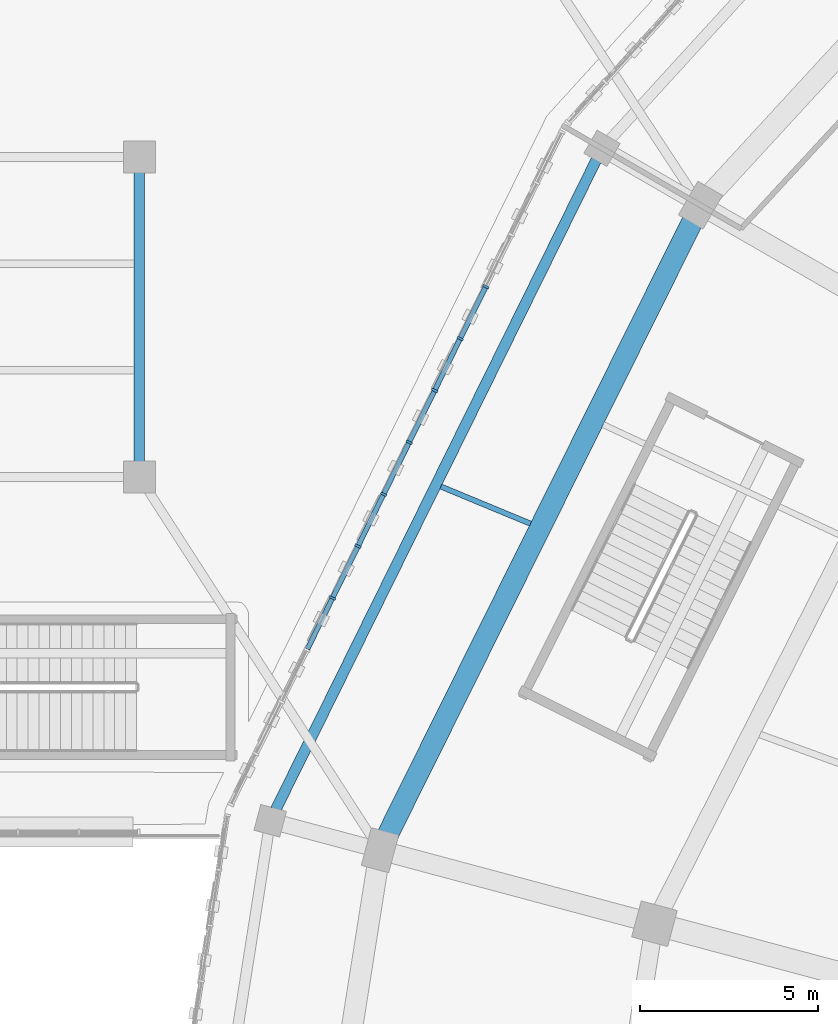
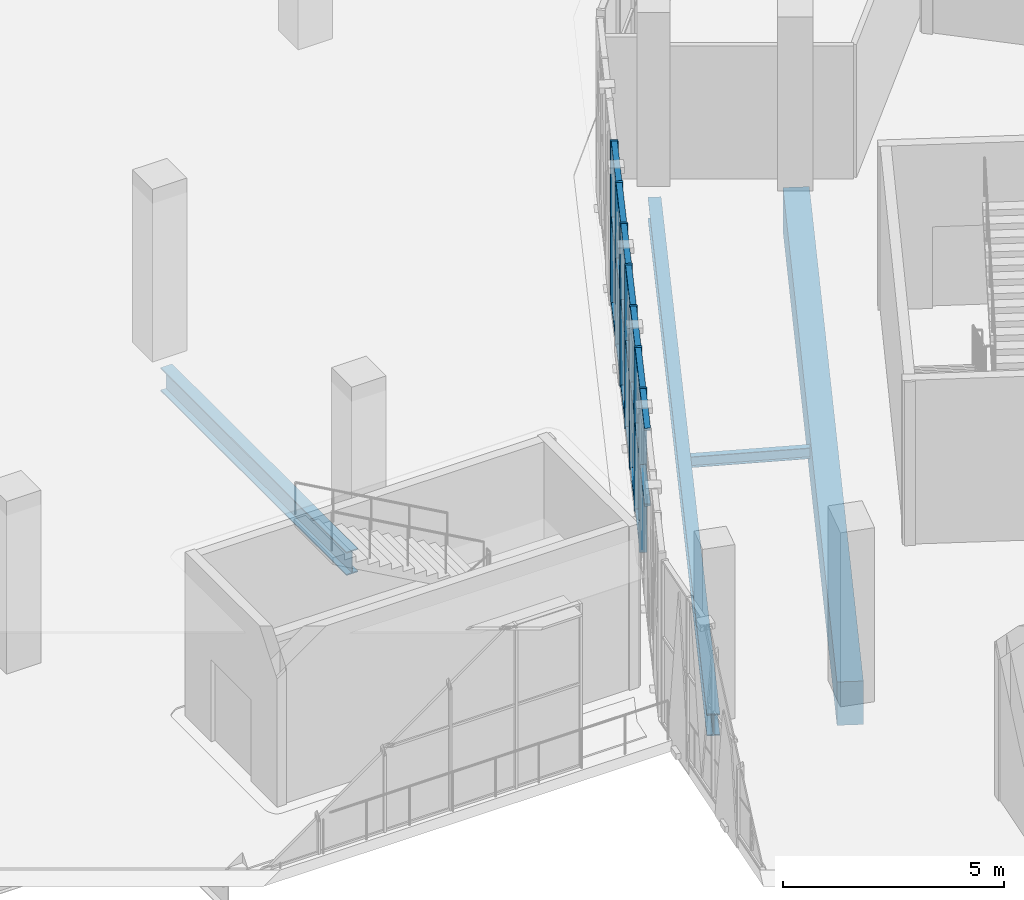
# One storey, part 24 of 183: 27 members, 4 beams, 1 element without a shape of its own.
"""IFC4 building model written with IfcOpenShell, lengths in metres."""

from ifc_helpers import new_model, si_unit, direction, frame, origin, origin_2d, place, context, subcontext, project, spatial, rectangle, i_section, extrude, material, material_profile, profile_set, type_object, element, aggregate, save


model = new_model("IFC4")

# Units and contexts
model_context = context("Model", 3, precision=1e-05, world=origin(), true_north=direction((0.0, 1.0)))
body_context = subcontext(model_context, "Body", "Model", "MODEL_VIEW")
ifc_project = project(units=[si_unit("LENGTHUNIT", "METRE"), si_unit("AREAUNIT", "SQUARE_METRE"), si_unit("VOLUMEUNIT", "CUBIC_METRE"), si_unit("PLANEANGLEUNIT", "RADIAN"), si_unit("MASSUNIT", "GRAM", prefix="KILO")], contexts=[model_context])

# Site, building, storey
site_placement = place(None, origin())
site = spatial("IfcSite", under=ifc_project, at=site_placement, CompositionType="ELEMENT")
building_placement = place(site_placement, origin())
building = spatial("IfcBuilding", under=site, at=building_placement, Name="Zevraka Park Crest Stadium", CompositionType="ELEMENT")
storey_placement = place(building_placement, frame((0.0, 0.0, 5.39990234375)))
storey = spatial("IfcBuildingStorey", under=building, at=storey_placement, Name="L01", CompositionType="ELEMENT", Elevation=5.39990234375)

# Beam
ifc_material_1 = material(Name="Steel S355", Category="steel")
ifc_material_profile_1 = material_profile(ifc_material_1, i_section(OverallWidth=0.300048828125, OverallDepth=0.64990234375, WebThickness=0.01611328125, FlangeThickness=0.031005859375, at=origin_2d()), Name="HEB 650")
ifc_profile_set_1 = profile_set([ifc_material_profile_1], Name="Steel S355")
beam_type_1 = type_object("IfcBeamType", Name="BG07", PredefinedType="BEAM", material=ifc_profile_set_1)
beam_1_placement = place(storey_placement, frame((18.0, 122.300048828125, -0.6328125), z_axis=(0.0, 1.0, 0.0), x_axis=(-1.0, 0.0, 0.0)))
element("IfcBeam", 1, at=beam_1_placement, inside=storey, type_object=beam_type_1, Name="Wing Girder BG07 L01-3/PQ", PredefinedType="BEAM", context=body_context, shape_type="SweptSolid", body=[
    extrude(i_section(OverallWidth=0.300048828125, OverallDepth=0.64990234375, WebThickness=0.01611328125, FlangeThickness=0.031005859375, at=origin_2d()), origin(), (0.0, 0.0, 1.0), 8.39990234375),
])

# Curtain wall, members
ifc_material_2 = material(Name="Anodised architectural aluminium and laminated safety glass", Category="aluminium")
curtain_wall_type = type_object("IfcCurtainWallType", Name="CW02", PredefinedType="NOTDEFINED", material=ifc_material_2)
curtain_wall_placement = place(storey_placement, origin())
curtain_wall = element("IfcCurtainWall", 2, at=curtain_wall_placement, inside=storey, type_object=curtain_wall_type, Name="Unitised Ring Curtain Wall CW02 L01-10", PredefinedType="NOTDEFINED")
ifc_material_3 = material(Name="Anodised architectural aluminium", Category="aluminium")
ifc_material_profile_2 = material_profile(ifc_material_3, rectangle(XDim=0.179931640625, YDim=0.06494140625, at=origin_2d()), Name="ALU MULLION 180x65")
ifc_profile_set_2 = profile_set([ifc_material_profile_2], Name="Anodised architectural aluminium")
member_type_1 = type_object("IfcMemberType", Name="CM02", PredefinedType="MULLION", material=ifc_profile_set_2)
member_1_placement = place(storey_placement, frame((27.75390625, 127.35546875, 0.0), z_axis=(0.0, 0.0, 1.0), x_axis=(0.897252732312, -0.44151730924, 0.0)))
member_1 = element("IfcMember", 3, at=member_1_placement, type_object=member_type_1, Name="CW02 mullion 4", PredefinedType="MULLION", context=body_context, shape_type="SweptSolid", body=[
    extrude(rectangle(XDim=0.179931640625, YDim=0.06494140625, at=origin_2d()), origin(), (0.0, 0.0, 1.0), 4.52001953125),
])
member_2_placement = place(storey_placement, frame((27.034912109375, 125.894287109375, 0.0), z_axis=(0.0, 0.0, 1.0), x_axis=(0.897252732312, -0.44151730924, 0.0)))
member_2 = element("IfcMember", 4, at=member_2_placement, type_object=member_type_1, Name="CW02 mullion 5", PredefinedType="MULLION", context=body_context, shape_type="SweptSolid", body=[
    extrude(rectangle(XDim=0.179931640625, YDim=0.06494140625, at=origin_2d()), origin(), (0.0, 0.0, 1.0), 4.52001953125),
])
member_3_placement = place(storey_placement, frame((26.31591796875, 124.433349609375, 0.0), z_axis=(0.0, 0.0, 1.0), x_axis=(0.897252732312, -0.44151730924, 0.0)))
member_3 = element("IfcMember", 5, at=member_3_placement, type_object=member_type_1, Name="CW02 mullion 6", PredefinedType="MULLION", context=body_context, shape_type="SweptSolid", body=[
    extrude(rectangle(XDim=0.179931640625, YDim=0.06494140625, at=origin_2d()), origin(), (0.0, 0.0, 1.0), 4.52001953125),
])
member_4_placement = place(storey_placement, frame((25.596923828125, 122.97216796875, 0.0), z_axis=(0.0, 0.0, 1.0), x_axis=(0.897252732312, -0.44151730924, 0.0)))
member_4 = element("IfcMember", 6, at=member_4_placement, type_object=member_type_1, Name="CW02 mullion 7", PredefinedType="MULLION", context=body_context, shape_type="SweptSolid", body=[
    extrude(rectangle(XDim=0.179931640625, YDim=0.06494140625, at=origin_2d()), origin(), (0.0, 0.0, 1.0), 4.52001953125),
])
member_5_placement = place(storey_placement, frame((24.8779296875, 121.510986328125, 0.0), z_axis=(0.0, 0.0, 1.0), x_axis=(0.897252732312, -0.44151730924, 0.0)))
member_5 = element("IfcMember", 7, at=member_5_placement, type_object=member_type_1, Name="CW02 mullion 8", PredefinedType="MULLION", context=body_context, shape_type="SweptSolid", body=[
    extrude(rectangle(XDim=0.179931640625, YDim=0.06494140625, at=origin_2d()), origin(), (0.0, 0.0, 1.0), 4.52001953125),
])
member_6_placement = place(storey_placement, frame((24.158935546875, 120.0498046875, 0.0), z_axis=(0.0, 0.0, 1.0), x_axis=(0.897252732312, -0.44151730924, 0.0)))
member_6 = element("IfcMember", 8, at=member_6_placement, type_object=member_type_1, Name="CW02 mullion 9", PredefinedType="MULLION", context=body_context, shape_type="SweptSolid", body=[
    extrude(rectangle(XDim=0.179931640625, YDim=0.06494140625, at=origin_2d()), origin(), (0.0, 0.0, 1.0), 4.52001953125),
])
member_7_placement = place(storey_placement, frame((23.43994140625, 118.588623046875, 0.0), z_axis=(0.0, 0.0, 1.0), x_axis=(0.897252732312, -0.44151730924, 0.0)))
member_7 = element("IfcMember", 9, at=member_7_placement, type_object=member_type_1, Name="CW02 mullion 10", PredefinedType="MULLION", context=body_context, shape_type="SweptSolid", body=[
    extrude(rectangle(XDim=0.179931640625, YDim=0.06494140625, at=origin_2d()), origin(), (0.0, 0.0, 1.0), 4.52001953125),
])
ifc_material_4 = material(Name="Anodised architectural aluminium", Category="aluminium")
ifc_material_profile_3 = material_profile(ifc_material_4, rectangle(XDim=0.139892578125, YDim=0.06494140625, at=origin_2d()), Name="ALU TRANSOM 140x65")
ifc_profile_set_3 = profile_set([ifc_material_profile_3], Name="Anodised architectural aluminium")
member_type_2 = type_object("IfcMemberType", Name="CT02", PredefinedType="USERDEFINED", material=ifc_profile_set_3)
member_8_placement = place(storey_placement, frame((27.73974609375, 127.326416015625, 0.03271484375), z_axis=(-0.441583474331, -0.897220170971, 0.0), x_axis=(0.897220170971, -0.441583474331, 0.0)))
member_8 = element("IfcMember", 10, at=member_8_placement, type_object=member_type_2, Name="CW02 transom 4.1", ObjectType="TRANSOM", PredefinedType="USERDEFINED", context=body_context, shape_type="SweptSolid", body=[
    extrude(rectangle(XDim=0.139892578125, YDim=0.06494140625, at=origin_2d()), origin(), (0.0, 0.0, 1.0), 1.5634765625),
])
member_9_placement = place(storey_placement, frame((27.73974609375, 127.326416015625, 2.400146484375), z_axis=(-0.441583474331, -0.897220170971, 0.0), x_axis=(0.897220170971, -0.441583474331, 0.0)))
member_9 = element("IfcMember", 11, at=member_9_placement, type_object=member_type_2, Name="CW02 transom 4.2", ObjectType="TRANSOM", PredefinedType="USERDEFINED", context=body_context, shape_type="SweptSolid", body=[
    extrude(rectangle(XDim=0.139892578125, YDim=0.06494140625, at=origin_2d()), origin(), (0.0, 0.0, 1.0), 1.5634765625),
])
member_10_placement = place(storey_placement, frame((27.73974609375, 127.326416015625, 4.487548828125), z_axis=(-0.441583474331, -0.897220170971, 0.0), x_axis=(0.897220170971, -0.441583474331, 0.0)))
member_10 = element("IfcMember", 12, at=member_10_placement, type_object=member_type_2, Name="CW02 transom 4.3", ObjectType="TRANSOM", PredefinedType="USERDEFINED", context=body_context, shape_type="SweptSolid", body=[
    extrude(rectangle(XDim=0.139892578125, YDim=0.06494140625, at=origin_2d()), origin(), (0.0, 0.0, 1.0), 1.5634765625),
])
member_11_placement = place(storey_placement, frame((27.020751953125, 125.865234375, 0.03271484375), z_axis=(-0.441583474331, -0.897220170971, 0.0), x_axis=(0.897220170971, -0.441583474331, 0.0)))
member_11 = element("IfcMember", 13, at=member_11_placement, type_object=member_type_2, Name="CW02 transom 5.1", ObjectType="TRANSOM", PredefinedType="USERDEFINED", context=body_context, shape_type="SweptSolid", body=[
    extrude(rectangle(XDim=0.139892578125, YDim=0.06494140625, at=origin_2d()), origin(), (0.0, 0.0, 1.0), 1.5634765625),
])
member_12_placement = place(storey_placement, frame((27.020751953125, 125.865234375, 2.400146484375), z_axis=(-0.441583474331, -0.897220170971, 0.0), x_axis=(0.897220170971, -0.441583474331, 0.0)))
member_12 = element("IfcMember", 14, at=member_12_placement, type_object=member_type_2, Name="CW02 transom 5.2", ObjectType="TRANSOM", PredefinedType="USERDEFINED", context=body_context, shape_type="SweptSolid", body=[
    extrude(rectangle(XDim=0.139892578125, YDim=0.06494140625, at=origin_2d()), origin(), (0.0, 0.0, 1.0), 1.5634765625),
])
member_13_placement = place(storey_placement, frame((27.020751953125, 125.865234375, 4.487548828125), z_axis=(-0.441583474331, -0.897220170971, 0.0), x_axis=(0.897220170971, -0.441583474331, 0.0)))
member_13 = element("IfcMember", 15, at=member_13_placement, type_object=member_type_2, Name="CW02 transom 5.3", ObjectType="TRANSOM", PredefinedType="USERDEFINED", context=body_context, shape_type="SweptSolid", body=[
    extrude(rectangle(XDim=0.139892578125, YDim=0.06494140625, at=origin_2d()), origin(), (0.0, 0.0, 1.0), 1.5634765625),
])
member_14_placement = place(storey_placement, frame((26.3017578125, 124.404052734375, 0.03271484375), z_axis=(-0.441583474331, -0.897220170971, 0.0), x_axis=(0.897220170971, -0.441583474331, 0.0)))
member_14 = element("IfcMember", 16, at=member_14_placement, type_object=member_type_2, Name="CW02 transom 6.1", ObjectType="TRANSOM", PredefinedType="USERDEFINED", context=body_context, shape_type="SweptSolid", body=[
    extrude(rectangle(XDim=0.139892578125, YDim=0.06494140625, at=origin_2d()), origin(), (0.0, 0.0, 1.0), 1.5634765625),
])
member_15_placement = place(storey_placement, frame((26.3017578125, 124.404052734375, 2.400146484375), z_axis=(-0.441583474331, -0.897220170971, 0.0), x_axis=(0.897220170971, -0.441583474331, 0.0)))
member_15 = element("IfcMember", 17, at=member_15_placement, type_object=member_type_2, Name="CW02 transom 6.2", ObjectType="TRANSOM", PredefinedType="USERDEFINED", context=body_context, shape_type="SweptSolid", body=[
    extrude(rectangle(XDim=0.139892578125, YDim=0.06494140625, at=origin_2d()), origin(), (0.0, 0.0, 1.0), 1.5634765625),
])
member_16_placement = place(storey_placement, frame((26.3017578125, 124.404052734375, 4.487548828125), z_axis=(-0.441583474331, -0.897220170971, 0.0), x_axis=(0.897220170971, -0.441583474331, 0.0)))
member_16 = element("IfcMember", 18, at=member_16_placement, type_object=member_type_2, Name="CW02 transom 6.3", ObjectType="TRANSOM", PredefinedType="USERDEFINED", context=body_context, shape_type="SweptSolid", body=[
    extrude(rectangle(XDim=0.139892578125, YDim=0.06494140625, at=origin_2d()), origin(), (0.0, 0.0, 1.0), 1.5634765625),
])
member_17_placement = place(storey_placement, frame((25.582763671875, 122.94287109375, 0.03271484375), z_axis=(-0.441583474331, -0.897220170971, 0.0), x_axis=(0.897220170971, -0.441583474331, 0.0)))
member_17 = element("IfcMember", 19, at=member_17_placement, type_object=member_type_2, Name="CW02 transom 7.1", ObjectType="TRANSOM", PredefinedType="USERDEFINED", context=body_context, shape_type="SweptSolid", body=[
    extrude(rectangle(XDim=0.139892578125, YDim=0.06494140625, at=origin_2d()), origin(), (0.0, 0.0, 1.0), 1.5634765625),
])
member_18_placement = place(storey_placement, frame((25.582763671875, 122.94287109375, 2.400146484375), z_axis=(-0.441583474331, -0.897220170971, 0.0), x_axis=(0.897220170971, -0.441583474331, 0.0)))
member_18 = element("IfcMember", 20, at=member_18_placement, type_object=member_type_2, Name="CW02 transom 7.2", ObjectType="TRANSOM", PredefinedType="USERDEFINED", context=body_context, shape_type="SweptSolid", body=[
    extrude(rectangle(XDim=0.139892578125, YDim=0.06494140625, at=origin_2d()), origin(), (0.0, 0.0, 1.0), 1.5634765625),
])
member_19_placement = place(storey_placement, frame((25.582763671875, 122.94287109375, 4.487548828125), z_axis=(-0.441583474331, -0.897220170971, 0.0), x_axis=(0.897220170971, -0.441583474331, 0.0)))
member_19 = element("IfcMember", 21, at=member_19_placement, type_object=member_type_2, Name="CW02 transom 7.3", ObjectType="TRANSOM", PredefinedType="USERDEFINED", context=body_context, shape_type="SweptSolid", body=[
    extrude(rectangle(XDim=0.139892578125, YDim=0.06494140625, at=origin_2d()), origin(), (0.0, 0.0, 1.0), 1.5634765625),
])
member_20_placement = place(storey_placement, frame((24.86376953125, 121.481689453125, 0.03271484375), z_axis=(-0.441583474331, -0.897220170971, 0.0), x_axis=(0.897220170971, -0.441583474331, 0.0)))
member_20 = element("IfcMember", 22, at=member_20_placement, type_object=member_type_2, Name="CW02 transom 8.1", ObjectType="TRANSOM", PredefinedType="USERDEFINED", context=body_context, shape_type="SweptSolid", body=[
    extrude(rectangle(XDim=0.139892578125, YDim=0.06494140625, at=origin_2d()), origin(), (0.0, 0.0, 1.0), 1.5634765625),
])
member_21_placement = place(storey_placement, frame((24.86376953125, 121.481689453125, 2.400146484375), z_axis=(-0.441583474331, -0.897220170971, 0.0), x_axis=(0.897220170971, -0.441583474331, 0.0)))
member_21 = element("IfcMember", 23, at=member_21_placement, type_object=member_type_2, Name="CW02 transom 8.2", ObjectType="TRANSOM", PredefinedType="USERDEFINED", context=body_context, shape_type="SweptSolid", body=[
    extrude(rectangle(XDim=0.139892578125, YDim=0.06494140625, at=origin_2d()), origin(), (0.0, 0.0, 1.0), 1.5634765625),
])
member_22_placement = place(storey_placement, frame((24.86376953125, 121.481689453125, 4.487548828125), z_axis=(-0.441583474331, -0.897220170971, 0.0), x_axis=(0.897220170971, -0.441583474331, 0.0)))
member_22 = element("IfcMember", 24, at=member_22_placement, type_object=member_type_2, Name="CW02 transom 8.3", ObjectType="TRANSOM", PredefinedType="USERDEFINED", context=body_context, shape_type="SweptSolid", body=[
    extrude(rectangle(XDim=0.139892578125, YDim=0.06494140625, at=origin_2d()), origin(), (0.0, 0.0, 1.0), 1.5634765625),
])
member_23_placement = place(storey_placement, frame((24.14453125, 120.0205078125, 0.03271484375), z_axis=(-0.441457762434, -0.897282031463, 0.0), x_axis=(0.897282031463, -0.441457762434, 0.0)))
member_23 = element("IfcMember", 25, at=member_23_placement, type_object=member_type_2, Name="CW02 transom 9.1", ObjectType="TRANSOM", PredefinedType="USERDEFINED", context=body_context, shape_type="SweptSolid", body=[
    extrude(rectangle(XDim=0.139892578125, YDim=0.06494140625, at=origin_2d()), origin(), (0.0, 0.0, 1.0), 1.5634765625),
])
member_24_placement = place(storey_placement, frame((24.14453125, 120.0205078125, 2.400146484375), z_axis=(-0.441457762434, -0.897282031463, 0.0), x_axis=(0.897282031463, -0.441457762434, 0.0)))
member_24 = element("IfcMember", 26, at=member_24_placement, type_object=member_type_2, Name="CW02 transom 9.2", ObjectType="TRANSOM", PredefinedType="USERDEFINED", context=body_context, shape_type="SweptSolid", body=[
    extrude(rectangle(XDim=0.139892578125, YDim=0.06494140625, at=origin_2d()), origin(), (0.0, 0.0, 1.0), 1.5634765625),
])
member_25_placement = place(storey_placement, frame((24.14453125, 120.0205078125, 4.487548828125), z_axis=(-0.441457762434, -0.897282031463, 0.0), x_axis=(0.897282031463, -0.441457762434, 0.0)))
member_25 = element("IfcMember", 27, at=member_25_placement, type_object=member_type_2, Name="CW02 transom 9.3", ObjectType="TRANSOM", PredefinedType="USERDEFINED", context=body_context, shape_type="SweptSolid", body=[
    extrude(rectangle(XDim=0.139892578125, YDim=0.06494140625, at=origin_2d()), origin(), (0.0, 0.0, 1.0), 1.5634765625),
])
member_26_placement = place(storey_placement, frame((23.425537109375, 118.5595703125, 2.400146484375), z_axis=(-0.441457762434, -0.897282031463, 0.0), x_axis=(0.897282031463, -0.441457762434, 0.0)))
member_26 = element("IfcMember", 28, at=member_26_placement, type_object=member_type_2, Name="CW02 transom 10.2", ObjectType="TRANSOM", PredefinedType="USERDEFINED", context=body_context, shape_type="SweptSolid", body=[
    extrude(rectangle(XDim=0.139892578125, YDim=0.06494140625, at=origin_2d()), origin(), (0.0, 0.0, 1.0), 1.5634765625),
])
member_27_placement = place(storey_placement, frame((23.425537109375, 118.5595703125, 4.487548828125), z_axis=(-0.441457762434, -0.897282031463, 0.0), x_axis=(0.897282031463, -0.441457762434, 0.0)))
member_27 = element("IfcMember", 29, at=member_27_placement, type_object=member_type_2, Name="CW02 transom 10.3", ObjectType="TRANSOM", PredefinedType="USERDEFINED", context=body_context, shape_type="SweptSolid", body=[
    extrude(rectangle(XDim=0.139892578125, YDim=0.06494140625, at=origin_2d()), origin(), (0.0, 0.0, 1.0), 1.5634765625),
])
aggregate(curtain_wall, [member_1, member_2, member_3, member_4, member_5, member_6, member_7, member_8, member_9, member_10, member_11, member_12, member_13, member_14, member_15, member_16, member_17, member_18, member_19, member_20, member_21, member_22, member_23, member_24, member_25, member_26, member_27])

# Beams
ifc_material_5 = material(Name="Concrete C40/50", Category="concrete")
ifc_material_profile_4 = material_profile(ifc_material_5, rectangle(XDim=0.60009765625, YDim=1.199951171875, at=origin_2d()), Name="RC 1200x600")
ifc_profile_set_4 = profile_set([ifc_material_profile_4], Name="Concrete C40/50")
beam_type_2 = type_object("IfcBeamType", Name="RB01", PredefinedType="BEAM", material=ifc_profile_set_4)
beam_2_placement = place(storey_placement, frame((33.62890625, 129.31005859375, -0.60986328125), z_axis=(-0.444850507814, -0.895604837916, 0.0), x_axis=(0.895604837916, -0.444850507814, 0.0)))
element("IfcBeam", 30, at=beam_2_placement, inside=storey, type_object=beam_type_2, Name="Ring Beam RB01 L01-D-10", PredefinedType="BEAM", context=body_context, shape_type="SweptSolid", body=[
    extrude(rectangle(XDim=0.60009765625, YDim=1.199951171875, at=origin_2d()), origin(), (0.0, 0.0, 1.0), 19.5185546875),
])
ifc_material_6 = material(Name="Steel S355", Category="steel")
ifc_material_profile_5 = material_profile(ifc_material_6, i_section(OverallWidth=0.300048828125, OverallDepth=0.60009765625, WebThickness=0.015380859375, FlangeThickness=0.030029296875, at=origin_2d()), Name="HEB 600")
ifc_profile_set_5 = profile_set([ifc_material_profile_5], Name="Steel S355")
beam_type_3 = type_object("IfcBeamType", Name="RB03", PredefinedType="BEAM", material=ifc_profile_set_5)
beam_3_placement = place(storey_placement, frame((30.8720703125, 130.93603515625, -0.60498046875), z_axis=(-0.442446810597, -0.896794747862, 0.0), x_axis=(0.896794747862, -0.442446810597, 0.0)))
element("IfcBeam", 31, at=beam_3_placement, inside=storey, type_object=beam_type_3, Name="Ring Beam RB03 L01-E-10", PredefinedType="BEAM", context=body_context, shape_type="SweptSolid", body=[
    extrude(i_section(OverallWidth=0.300048828125, OverallDepth=0.60009765625, WebThickness=0.015380859375, FlangeThickness=0.030029296875, at=origin_2d()), origin(), (0.0, 0.0, 1.0), 20.41162109375),
])
ifc_material_7 = material(Name="Steel S355", Category="steel")
ifc_material_profile_6 = material_profile(ifc_material_7, i_section(OverallWidth=0.14990234375, OverallDepth=0.300048828125, WebThickness=0.007080078125, FlangeThickness=0.0107421875, at=origin_2d()), Name="IPE 300")
ifc_profile_set_6 = profile_set([ifc_material_profile_6], Name="Steel S355")
beam_type_4 = type_object("IfcBeamType", Name="SJ01", PredefinedType="JOIST", material=ifc_profile_set_6)
beam_4_placement = place(storey_placement, frame((29.014892578125, 120.681884765625, -0.4580078125), z_axis=(-0.923841523408, 0.382775181571, 0.0), x_axis=(-0.382775181571, -0.923841523408, 0.0)))
element("IfcBeam", 32, at=beam_4_placement, inside=storey, type_object=beam_type_4, Name="Floor Joist SJ01 L01-DE-10-1", PredefinedType="JOIST", context=body_context, shape_type="SweptSolid", body=[
    extrude(i_section(OverallWidth=0.14990234375, OverallDepth=0.300048828125, WebThickness=0.007080078125, FlangeThickness=0.0107421875, at=origin_2d()), origin(), (0.0, 0.0, 1.0), 2.733154296875),
])

save(model, "model.ifc")
